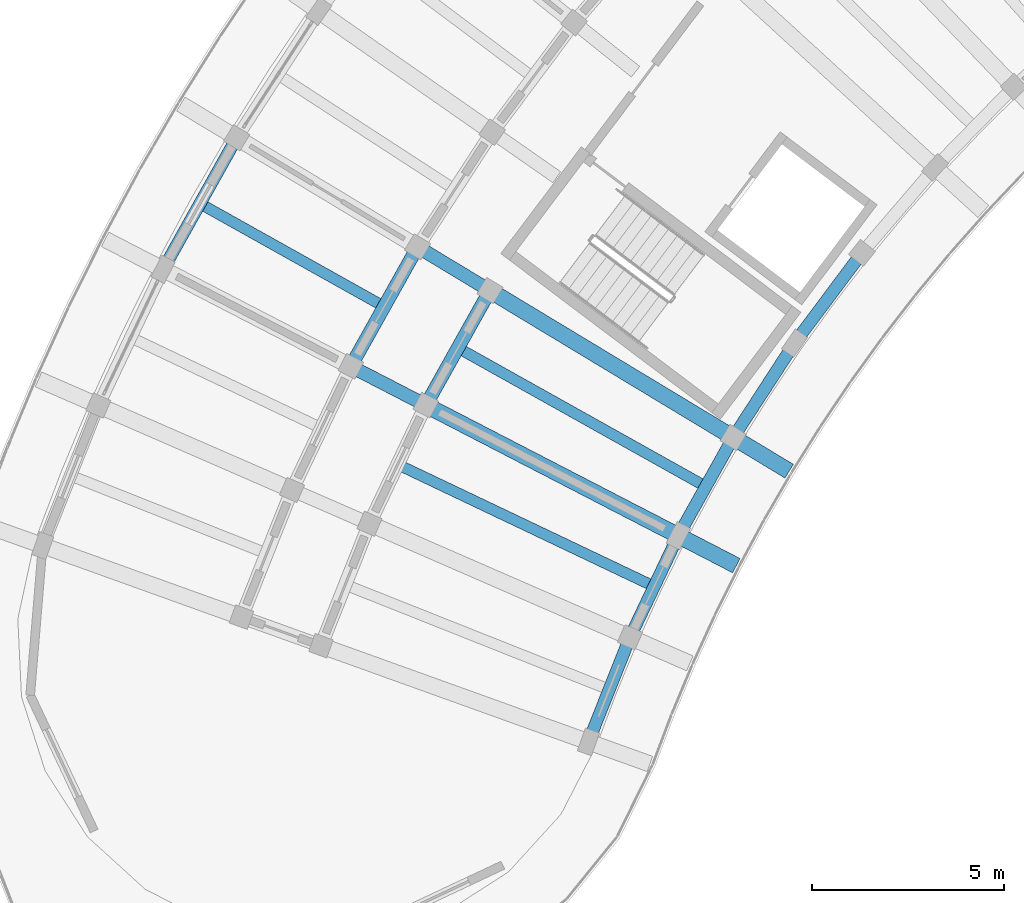
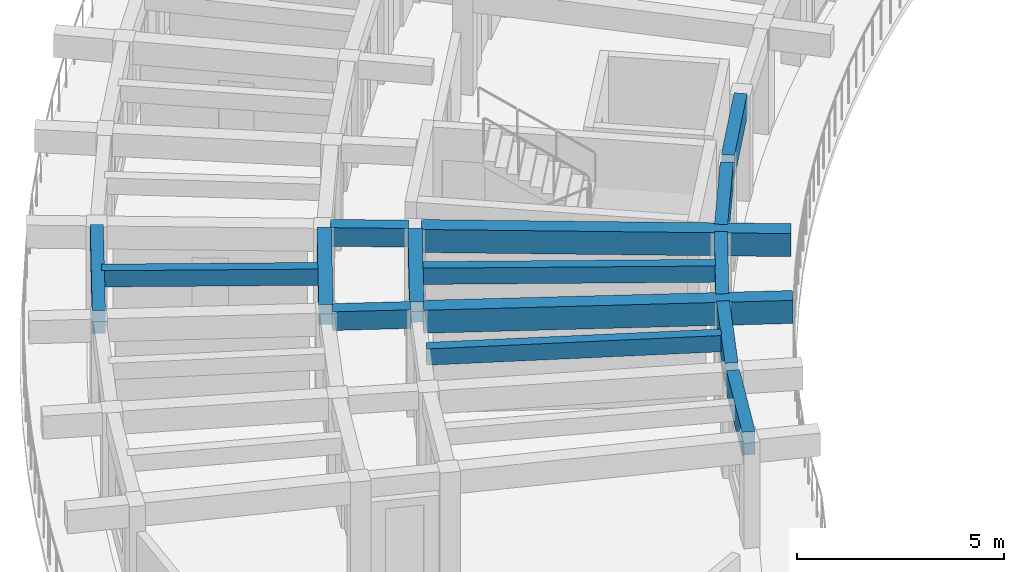
# One storey, part 12 of 62: 15 beams.
"""IFC4 building model written with IfcOpenShell, lengths in metres."""

from ifc_helpers import new_model, si_unit, direction, frame, origin, origin_2d, place, context, subcontext, project, spatial, rectangle, extrude, material, material_profile, profile_set, type_object, element, save


model = new_model("IFC4")

# Units and contexts
model_context = context("Model", 3, precision=1e-05, world=origin(), true_north=direction((0.0, 1.0)))
body_context = subcontext(model_context, "Body", "Model", "MODEL_VIEW")
ifc_project = project(units=[si_unit("LENGTHUNIT", "METRE"), si_unit("AREAUNIT", "SQUARE_METRE"), si_unit("VOLUMEUNIT", "CUBIC_METRE"), si_unit("PLANEANGLEUNIT", "RADIAN"), si_unit("MASSUNIT", "GRAM", prefix="KILO")], contexts=[model_context])

# Site, building, storey
site_placement = place(None, origin())
site = spatial("IfcSite", under=ifc_project, at=site_placement, CompositionType="ELEMENT")
building_placement = place(site_placement, origin())
building = spatial("IfcBuilding", under=site, at=building_placement, Name="Tanwirah Colonnade Gardens", CompositionType="ELEMENT")
storey_placement = place(building_placement, frame((0.0, 0.0, 32.360107421875)))
storey = spatial("IfcBuildingStorey", under=building, at=storey_placement, Name="L09", CompositionType="ELEMENT", Elevation=32.360107421875)

# Beams
ifc_material_1 = material(Name="Precast concrete C40/50", Category="concrete")
ifc_material_profile_1 = material_profile(ifc_material_1, rectangle(XDim=0.35009765625, YDim=0.550048828125, at=origin_2d()), Name="PC-BM 350x550")
ifc_profile_set_1 = profile_set([ifc_material_profile_1], Name="Precast concrete C40/50")
beam_type_1 = type_object("IfcBeamType", Name="BM-PC350A", PredefinedType="BEAM", material=ifc_profile_set_1)
for number, where, z_axis, x_axis, name in (
    (1, (20.479248046875, 87.068359375, 2.83984375), (-0.856174920318, 0.516686080534, 0.0), (-0.516686080534, -0.856174920318, 0.0), "Block A L09 Corridor Tie Beam 14"),
    (2, (18.8056640625, 84.07666015625, 2.83984375), (-0.888358643941, 0.459150214784, 0.0), (-0.459150214784, -0.888358643941, 0.0), "Block A L09 Corridor Tie Beam 15"),
):
    element("IfcBeam", number, at=place(storey_placement, frame(where, z_axis=z_axis, x_axis=x_axis)), inside=storey, type_object=beam_type_1, Name=name, PredefinedType="BEAM", context=body_context, shape_type="SweptSolid", body=[
        extrude(rectangle(XDim=0.35009765625, YDim=0.550048828125, at=origin_2d()), origin(), (0.0, 0.0, 1.0), 1.89990234375),
    ])
ifc_material_profile_2 = material_profile(ifc_material_1, rectangle(XDim=0.35009765625, YDim=0.60009765625, at=origin_2d()), Name="PC-BM 350x600")
ifc_profile_set_2 = profile_set([ifc_material_profile_2], Name="Precast concrete C40/50")
beam_type_2 = type_object("IfcBeamType", Name="BM-PC350B", PredefinedType="BEAM", material=ifc_profile_set_2)
beam_1_placement = place(storey_placement, frame((20.534423828125, 86.85986328125, 2.81494140625), z_axis=(-0.488200372352, -0.872731571811, 0.0), x_axis=(0.872731571811, -0.488200372352, 0.0)))
element("IfcBeam", 3, at=beam_1_placement, inside=storey, type_object=beam_type_2, Name="Block A L09 Circumferential Beam 14-R1", PredefinedType="BEAM", context=body_context, shape_type="SweptSolid", body=[
    extrude(rectangle(XDim=0.35009765625, YDim=0.60009765625, at=origin_2d()), origin(), (0.0, 0.0, 1.0), 3.117919921875),
])
beam_2_placement = place(storey_placement, frame((18.65087890625, 87.99658203125, 2.81494140625), z_axis=(-0.488213717102, -0.87272410671, 0.0), x_axis=(0.87272410671, -0.488213717102, 0.0)))
element("IfcBeam", 4, at=beam_2_placement, inside=storey, type_object=beam_type_2, Name="Block A L09 Circumferential Beam 14-R2", PredefinedType="BEAM", context=body_context, shape_type="SweptSolid", body=[
    extrude(rectangle(XDim=0.35009765625, YDim=0.60009765625, at=origin_2d()), origin(), (0.0, 0.0, 1.0), 3.262939453125),
])
ifc_material_2 = material(Name="Precast concrete C45/55", Category="concrete")
ifc_material_profile_3 = material_profile(ifc_material_2, rectangle(XDim=0.419921875, YDim=0.679931640625, at=origin_2d()), Name="PC-BM 420x680")
ifc_profile_set_3 = profile_set([ifc_material_profile_3], Name="Precast concrete C45/55")
beam_type_3 = type_object("IfcBeamType", Name="BM-PC420", PredefinedType="BEAM", material=ifc_profile_set_3)
beam_3_placement = place(storey_placement, frame((20.736083984375, 86.913330078125, 2.77490234375), z_axis=(0.856168728297, -0.516696340887, 0.0), x_axis=(0.516696340887, 0.856168728297, 0.0)))
element("IfcBeam", 5, at=beam_3_placement, inside=storey, type_object=beam_type_3, Name="Block A L09 Inner Radial Precast Girder 14", PredefinedType="BEAM", context=body_context, shape_type="SweptSolid", body=[
    extrude(rectangle(XDim=0.419921875, YDim=0.679931640625, at=origin_2d()), origin(), (0.0, 0.0, 1.0), 8.9501953125),
])
beam_4_placement = place(storey_placement, frame((19.072265625, 83.93896484375, 2.77490234375), z_axis=(0.888345427876, -0.459175784175, 0.0), x_axis=(0.459175784175, 0.888345427876, 0.0)))
element("IfcBeam", 6, at=beam_4_placement, inside=storey, type_object=beam_type_3, Name="Block A L09 Inner Radial Precast Girder 15", PredefinedType="BEAM", context=body_context, shape_type="SweptSolid", body=[
    extrude(rectangle(XDim=0.419921875, YDim=0.679931640625, at=origin_2d()), origin(), (0.0, 0.0, 1.0), 8.949951171875),
])
ifc_material_profile_4 = material_profile(ifc_material_1, rectangle(XDim=0.280029296875, YDim=0.47998046875, at=origin_2d()), Name="PC-JST 280x480")
ifc_profile_set_4 = profile_set([ifc_material_profile_4], Name="Precast concrete C40/50")
beam_type_4 = type_object("IfcBeamType", Name="JST-PC280", PredefinedType="JOIST", material=ifc_profile_set_4)
beam_5_placement = place(storey_placement, frame((17.72412109375, 86.645751953125, 2.875), z_axis=(-0.872737031138, 0.488190612855, 0.0), x_axis=(-0.488190612855, -0.872737031138, 0.0)))
element("IfcBeam", 7, at=beam_5_placement, inside=storey, type_object=beam_type_4, Name="Block A L09 Precast Floor Joist 14", PredefinedType="JOIST", context=body_context, shape_type="SweptSolid", body=[
    extrude(rectangle(XDim=0.280029296875, YDim=0.47998046875, at=origin_2d()), origin(), (0.0, 0.0, 1.0), 5.260009765625),
])
for number, where, z_axis, x_axis, name in (
    (8, (26.102294921875, 81.958984375, 2.875), (-0.872726875563, 0.488208767506, 0.0), (-0.488208767506, -0.872726875563, 0.0), "Block A L09 Inner Precast Floor Joist 14"),
    (9, (24.753173828125, 79.348876953125, 2.875), (-0.903005429363, 0.429629136048, 0.0), (-0.429629136048, -0.903005429363, 0.0), "Block A L09 Inner Precast Floor Joist 15"),
):
    element("IfcBeam", number, at=place(storey_placement, frame(where, z_axis=z_axis, x_axis=x_axis)), inside=storey, type_object=beam_type_4, Name=name, PredefinedType="JOIST", context=body_context, shape_type="SweptSolid", body=[
        extrude(rectangle(XDim=0.280029296875, YDim=0.47998046875, at=origin_2d()), origin(), (0.0, 0.0, 1.0), 7.16015625),
    ])
ifc_material_profile_5 = material_profile(ifc_material_2, rectangle(XDim=0.320068359375, YDim=0.679931640625, at=origin_2d()), Name="PC-SP 320x680")
ifc_profile_set_5 = profile_set([ifc_material_profile_5], Name="Precast concrete C45/55")
beam_type_5 = type_object("IfcBeamType", Name="SP-PC320", PredefinedType="SPANDREL", material=ifc_profile_set_5)
for number, where, z_axis, x_axis, name in (
    (10, (30.203857421875, 87.851806640625, 2.77490234375), (-0.598662613551, -0.80100129534, 0.0), (0.80100129534, -0.598662613551, 0.0), "Block A L09 Circumferential Beam 12-R0"),
    (11, (28.45751953125, 85.4990234375, 2.77490234375), (-0.544570677829, -0.838714955661, 0.0), (0.838714955661, -0.544570677829, 0.0), "Block A L09 Circumferential Beam 13-R0"),
):
    element("IfcBeam", number, at=place(storey_placement, frame(where, z_axis=z_axis, x_axis=x_axis)), inside=storey, type_object=beam_type_5, Name=name, PredefinedType="SPANDREL", context=body_context, shape_type="SweptSolid", body=[
        extrude(rectangle(XDim=0.320068359375, YDim=0.679931640625, at=origin_2d()), origin(), (0.0, 0.0, 1.0), 2.63037109375),
    ])
beam_6_placement = place(storey_placement, frame((26.8701171875, 83.036376953125, 2.77490234375), z_axis=(-0.488170837957, -0.872748092503, 0.0), x_axis=(0.872748092503, -0.488170837957, 0.0)))
element("IfcBeam", 12, at=beam_6_placement, inside=storey, type_object=beam_type_5, Name="Block A L09 Circumferential Beam 14-R0", PredefinedType="SPANDREL", context=body_context, shape_type="SweptSolid", body=[
    extrude(rectangle(XDim=0.320068359375, YDim=0.679931640625, at=origin_2d()), origin(), (0.0, 0.0, 1.0), 2.630126953125),
])
beam_7_placement = place(storey_placement, frame((13.942138671875, 90.838623046875, 2.77490234375), z_axis=(-0.488236312193, -0.872711466326, 0.0), x_axis=(0.872711466326, -0.488236312193, 0.0)))
element("IfcBeam", 13, at=beam_7_placement, inside=storey, type_object=beam_type_5, Name="Block A L09 Circumferential Beam 14-R3", PredefinedType="SPANDREL", context=body_context, shape_type="SweptSolid", body=[
    extrude(rectangle(XDim=0.320068359375, YDim=0.679931640625, at=origin_2d()), origin(), (0.0, 0.0, 1.0), 3.625732421875),
])
beam_8_placement = place(storey_placement, frame((25.448486328125, 80.474609375, 2.77490234375), z_axis=(-0.42964173036, -0.902999437172, 0.0), x_axis=(0.902999437172, -0.42964173036, 0.0)))
element("IfcBeam", 14, at=beam_8_placement, inside=storey, type_object=beam_type_5, Name="Block A L09 Circumferential Beam 15-R0", PredefinedType="SPANDREL", context=body_context, shape_type="SweptSolid", body=[
    extrude(rectangle(XDim=0.320068359375, YDim=0.679931640625, at=origin_2d()), origin(), (0.0, 0.0, 1.0), 2.63037109375),
])
beam_9_placement = place(storey_placement, frame((24.198486328125, 77.824462890625, 2.77490234375), z_axis=(-0.369245181709, -0.929332015904, 0.0), x_axis=(0.929332015904, -0.369245181709, 0.0)))
element("IfcBeam", 15, at=beam_9_placement, inside=storey, type_object=beam_type_5, Name="Block A L09 Circumferential Beam 16-R0", PredefinedType="SPANDREL", context=body_context, shape_type="SweptSolid", body=[
    extrude(rectangle(XDim=0.320068359375, YDim=0.679931640625, at=origin_2d()), origin(), (0.0, 0.0, 1.0), 2.630126953125),
])

save(model, "model.ifc")
